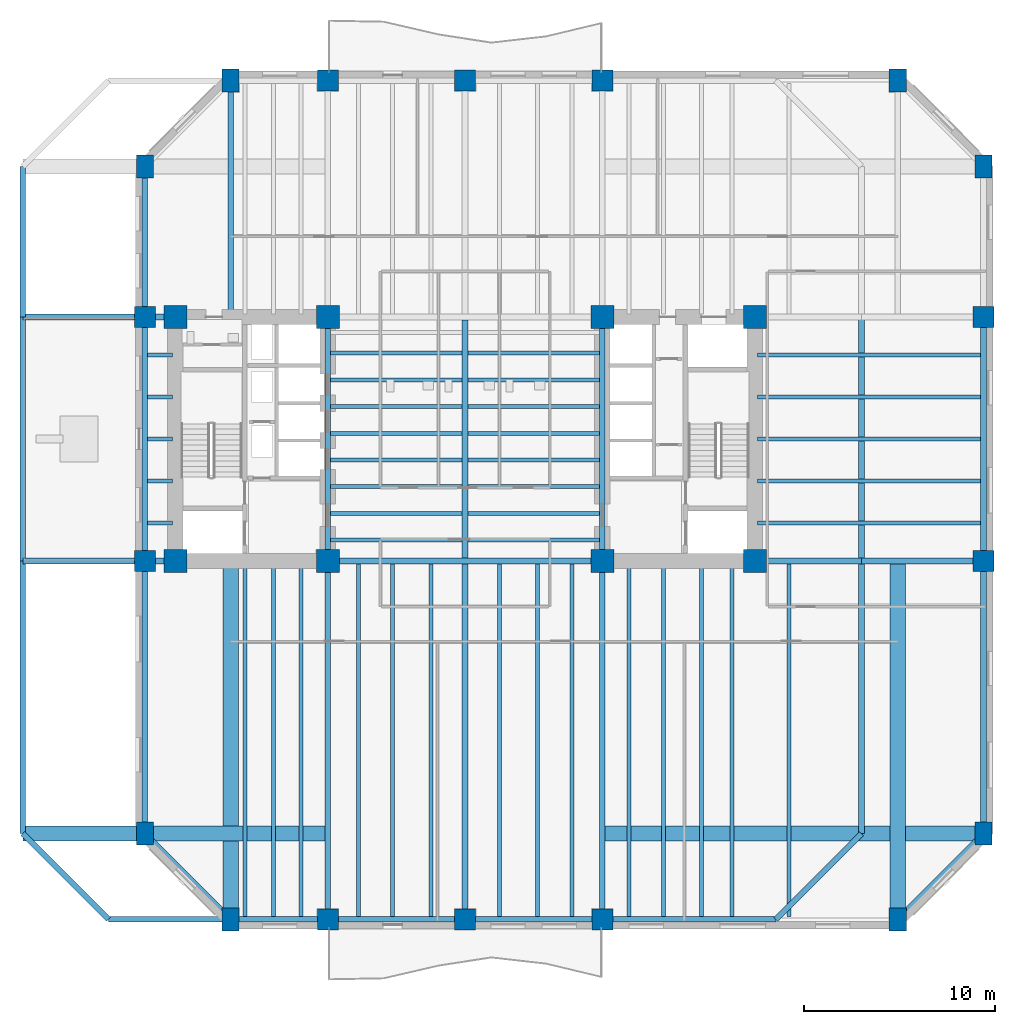
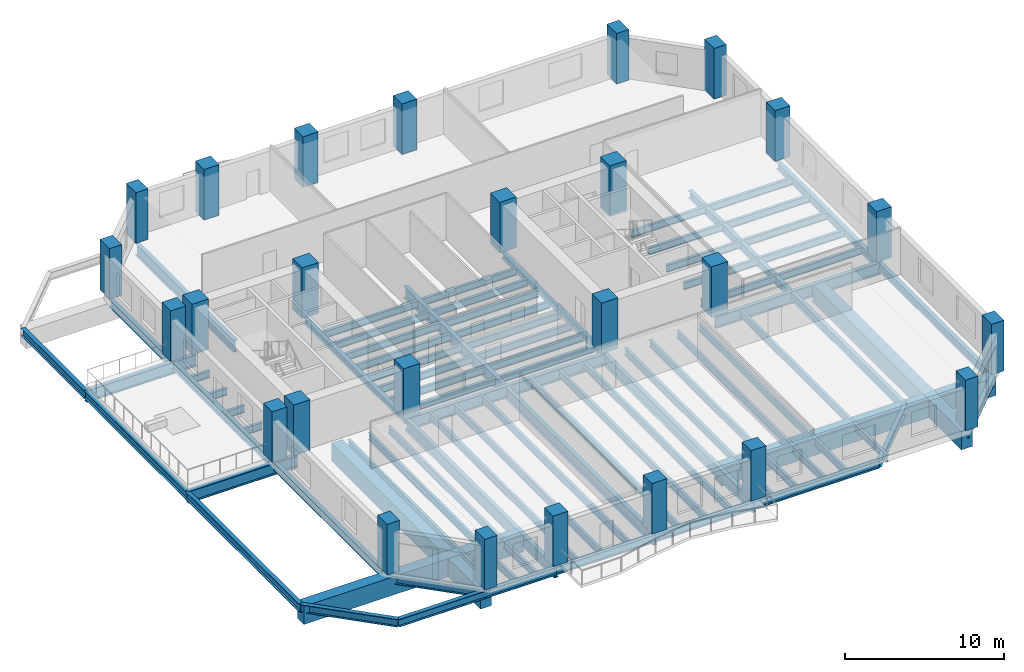
# One storey, part 1 of 11: 74 beams, 26 columns.
"""IFC4 building model written with IfcOpenShell, lengths in metres."""

from ifc_helpers import new_model, si_unit, direction, frame, origin, origin_2d, place, context, subcontext, project, spatial, rectangle, i_section, extrude, material, material_profile, profile_set, type_object, element, save


model = new_model("IFC4")

# Units and contexts
model_context = context("Model", 3, precision=1e-05, world=origin(), true_north=direction((0.0, 1.0)))
body_context = subcontext(model_context, "Body", "Model", "MODEL_VIEW")
ifc_project = project(units=[si_unit("LENGTHUNIT", "METRE"), si_unit("AREAUNIT", "SQUARE_METRE"), si_unit("VOLUMEUNIT", "CUBIC_METRE"), si_unit("PLANEANGLEUNIT", "RADIAN"), si_unit("MASSUNIT", "GRAM", prefix="KILO")], contexts=[model_context])

# Site, building, storey
site_placement = place(None, origin())
site = spatial("IfcSite", under=ifc_project, at=site_placement, CompositionType="ELEMENT")
building_placement = place(site_placement, origin())
building = spatial("IfcBuilding", under=site, at=building_placement, Name="Kranthara Brick Stack", CompositionType="ELEMENT")
storey_placement = place(building_placement, frame((0.0, 0.0, 47.699951171875)))
storey = spatial("IfcBuildingStorey", under=building, at=storey_placement, Name="L11", CompositionType="ELEMENT", Elevation=47.699951171875)

# Columns
ifc_material_1 = material(Name="Concrete C70/85", Category="concrete")
ifc_material_profile_1 = material_profile(ifc_material_1, rectangle(XDim=0.89990234375, YDim=1.199951171875, at=origin_2d()), Name="RC 900x1200")
ifc_profile_set_1 = profile_set([ifc_material_profile_1], Name="Concrete C70/85")
column_type_1 = type_object("IfcColumnType", Name="COL-CHAM-900x1200", PredefinedType="COLUMN", material=ifc_profile_set_1)
for number, where, z_axis, x_axis, name in (
    (1, (15.699951171875, 2.0, 0.0), (0.0, 0.0, 1.0), (1.0, 0.0, 0.0), "L11 Column 09"),
    (2, (15.699951171875, 46.0, 0.0), (0.0, 0.0, 1.0), (1.0, 0.0, 0.0), "L11 Column 10"),
    (3, (50.699951171875, 2.0, 0.0), (0.0, 0.0, 1.0), (1.0, 0.0, 0.0), "L11 Column 17"),
    (4, (50.699951171875, 46.0, 0.0), (0.0, 0.0, 1.0), (1.0, 0.0, 0.0), "L11 Column 18"),
    (5, (11.199951171875, 6.5, 0.0), (0.0, 0.0, 1.0), (1.0, 0.0, 0.0), "L11 Column 19"),
    (6, (55.199951171875, 6.5, 0.0), (0.0, 0.0, 1.0), (1.0, 0.0, 0.0), "L11 Column 20"),
    (7, (11.199951171875, 41.5, 0.0), (0.0, 0.0, 1.0), (1.0, 0.0, 0.0), "L11 Column 25"),
    (8, (55.199951171875, 41.5, 0.0), (0.0, 0.0, 1.0), (1.0, 0.0, 0.0), "L11 Column 26"),
):
    element("IfcColumn", number, at=place(storey_placement, frame(where, z_axis=z_axis, x_axis=x_axis)), inside=storey, type_object=column_type_1, Name=name, PredefinedType="COLUMN", context=body_context, shape_type="SweptSolid", body=[
        extrude(rectangle(XDim=0.89990234375, YDim=1.199951171875, at=origin_2d()), origin(), (0.0, 0.0, 1.0), 3.900146484375),
    ])
ifc_material_2 = material(Name="Concrete C70/85", Category="concrete")
ifc_material_profile_2 = material_profile(ifc_material_2, rectangle(XDim=1.199951171875, YDim=1.199951171875, at=origin_2d()), Name="RC 1200x1200")
ifc_profile_set_2 = profile_set([ifc_material_profile_2], Name="Concrete C70/85")
column_type_2 = type_object("IfcColumnType", Name="COL-CORE-1200", PredefinedType="COLUMN", material=ifc_profile_set_2)
for number, where, z_axis, x_axis, name in (
    (9, (12.800048828125, 20.800048828125, 0.0), (0.0, 0.0, 1.0), (1.0, 0.0, 0.0), "L11 Column 01"),
    (10, (20.800048828125, 20.800048828125, 0.0), (0.0, 0.0, 1.0), (1.0, 0.0, 0.0), "L11 Column 02"),
    (11, (12.800048828125, 33.60009765625, 0.0), (0.0, 0.0, 1.0), (1.0, 0.0, 0.0), "L11 Column 03"),
    (12, (20.800048828125, 33.60009765625, 0.0), (0.0, 0.0, 1.0), (1.0, 0.0, 0.0), "L11 Column 04"),
    (13, (35.199951171875, 20.800048828125, 0.0), (0.0, 0.0, 1.0), (1.0, 0.0, 0.0), "L11 Column 05"),
    (14, (43.199951171875, 20.800048828125, 0.0), (0.0, 0.0, 1.0), (1.0, 0.0, 0.0), "L11 Column 06"),
    (15, (35.199951171875, 33.60009765625, 0.0), (0.0, 0.0, 1.0), (1.0, 0.0, 0.0), "L11 Column 07"),
    (16, (43.199951171875, 33.60009765625, 0.0), (0.0, 0.0, 1.0), (1.0, 0.0, 0.0), "L11 Column 08"),
):
    element("IfcColumn", number, at=place(storey_placement, frame(where, z_axis=z_axis, x_axis=x_axis)), inside=storey, type_object=column_type_2, Name=name, PredefinedType="COLUMN", context=body_context, shape_type="SweptSolid", body=[
        extrude(rectangle(XDim=1.199951171875, YDim=1.199951171875, at=origin_2d()), origin(), (0.0, 0.0, 1.0), 3.900146484375),
    ])
ifc_material_3 = material(Name="Concrete C70/85", Category="concrete")
ifc_material_profile_3 = material_profile(ifc_material_3, rectangle(XDim=1.10009765625, YDim=1.10009765625, at=origin_2d()), Name="RC 1100x1100")
ifc_profile_set_3 = profile_set([ifc_material_profile_3], Name="Concrete C70/85")
column_type_3 = type_object("IfcColumnType", Name="COL-PER-1100", PredefinedType="COLUMN", material=ifc_profile_set_3)
for number, where, z_axis, x_axis, name in (
    (17, (20.800048828125, 2.0, 0.0), (0.0, 0.0, 1.0), (1.0, 0.0, 0.0), "L11 Column 11"),
    (18, (20.800048828125, 46.0, 0.0), (0.0, 0.0, 1.0), (1.0, 0.0, 0.0), "L11 Column 12"),
    (19, (28.0, 2.0, 0.0), (0.0, 0.0, 1.0), (1.0, 0.0, 0.0), "L11 Column 13"),
    (20, (28.0, 46.0, 0.0), (0.0, 0.0, 1.0), (1.0, 0.0, 0.0), "L11 Column 14"),
    (21, (35.199951171875, 2.0, 0.0), (0.0, 0.0, 1.0), (1.0, 0.0, 0.0), "L11 Column 15"),
    (22, (35.199951171875, 46.0, 0.0), (0.0, 0.0, 1.0), (1.0, 0.0, 0.0), "L11 Column 16"),
    (23, (11.199951171875, 20.800048828125, 0.0), (0.0, 0.0, 1.0), (1.0, 0.0, 0.0), "L11 Column 21"),
    (24, (55.199951171875, 20.800048828125, 0.0), (0.0, 0.0, 1.0), (1.0, 0.0, 0.0), "L11 Column 22"),
    (25, (11.199951171875, 33.60009765625, 0.0), (0.0, 0.0, 1.0), (1.0, 0.0, 0.0), "L11 Column 23"),
    (26, (55.199951171875, 33.60009765625, 0.0), (0.0, 0.0, 1.0), (1.0, 0.0, 0.0), "L11 Column 24"),
):
    element("IfcColumn", number, at=place(storey_placement, frame(where, z_axis=z_axis, x_axis=x_axis)), inside=storey, type_object=column_type_3, Name=name, PredefinedType="COLUMN", context=body_context, shape_type="SweptSolid", body=[
        extrude(rectangle(XDim=1.10009765625, YDim=1.10009765625, at=origin_2d()), origin(), (0.0, 0.0, 1.0), 3.900146484375),
    ])

# Beams
ifc_material_4 = material(Name="Steel S355", Category="steel")
ifc_material_profile_4 = material_profile(ifc_material_4, i_section(OverallWidth=0.2099609375, OverallDepth=0.550048828125, WebThickness=0.010986328125, FlangeThickness=0.01708984375, at=origin_2d()), Name="IPE 550")
ifc_profile_set_4 = profile_set([ifc_material_profile_4], Name="Steel S355")
beam_type_1 = type_object("IfcBeamType", Name="BM-JST-IPE550", PredefinedType="JOIST", material=ifc_profile_set_4)
for number, where, z_axis, x_axis, name in (
    (27, (20.949951171875, 21.89990234375, -0.724853515625), (1.0, 0.0, 0.0), (0.0, 1.0, 0.0), "L11 Central Floor Joist 054"),
    (28, (28.14990234375, 21.89990234375, -0.724853515625), (1.0, 0.0, 0.0), (0.0, 1.0, 0.0), "L11 Central Floor Joist 055"),
    (29, (20.949951171875, 23.300048828125, -0.724853515625), (1.0, 0.0, 0.0), (0.0, 1.0, 0.0), "L11 Central Floor Joist 056"),
    (30, (28.14990234375, 23.300048828125, -0.724853515625), (1.0, 0.0, 0.0), (0.0, 1.0, 0.0), "L11 Central Floor Joist 057"),
    (31, (20.949951171875, 24.699951171875, -0.724853515625), (1.0, 0.0, 0.0), (0.0, 1.0, 0.0), "L11 Central Floor Joist 058"),
    (32, (28.14990234375, 24.699951171875, -0.724853515625), (1.0, 0.0, 0.0), (0.0, 1.0, 0.0), "L11 Central Floor Joist 059"),
    (33, (20.949951171875, 26.10009765625, -0.724853515625), (1.0, 0.0, 0.0), (0.0, 1.0, 0.0), "L11 Central Floor Joist 060"),
    (34, (28.14990234375, 26.10009765625, -0.724853515625), (1.0, 0.0, 0.0), (0.0, 1.0, 0.0), "L11 Central Floor Joist 061"),
    (35, (20.949951171875, 27.5, -0.724853515625), (1.0, 0.0, 0.0), (0.0, 1.0, 0.0), "L11 Central Floor Joist 062"),
    (36, (28.14990234375, 27.5, -0.724853515625), (1.0, 0.0, 0.0), (0.0, 1.0, 0.0), "L11 Central Floor Joist 063"),
    (37, (20.949951171875, 28.89990234375, -0.724853515625), (1.0, 0.0, 0.0), (0.0, 1.0, 0.0), "L11 Central Floor Joist 064"),
    (38, (28.14990234375, 28.89990234375, -0.724853515625), (1.0, 0.0, 0.0), (0.0, 1.0, 0.0), "L11 Central Floor Joist 065"),
    (39, (20.949951171875, 30.300048828125, -0.724853515625), (1.0, 0.0, 0.0), (0.0, 1.0, 0.0), "L11 Central Floor Joist 066"),
    (40, (28.14990234375, 30.300048828125, -0.724853515625), (1.0, 0.0, 0.0), (0.0, 1.0, 0.0), "L11 Central Floor Joist 067"),
    (41, (20.949951171875, 31.699951171875, -0.724853515625), (1.0, 0.0, 0.0), (0.0, 1.0, 0.0), "L11 Central Floor Joist 068"),
    (42, (28.14990234375, 31.699951171875, -0.724853515625), (1.0, 0.0, 0.0), (0.0, 1.0, 0.0), "L11 Central Floor Joist 069"),
):
    element("IfcBeam", number, at=place(storey_placement, frame(where, z_axis=z_axis, x_axis=x_axis)), inside=storey, type_object=beam_type_1, Name=name, PredefinedType="JOIST", context=body_context, shape_type="SweptSolid", body=[
        extrude(i_section(OverallWidth=0.2099609375, OverallDepth=0.550048828125, WebThickness=0.010986328125, FlangeThickness=0.01708984375, at=origin_2d()), origin(), (0.0, 0.0, 1.0), 6.900146484375),
    ])
for number, where, z_axis, x_axis, name in (
    (43, (16.449951171875, 2.14990234375, -0.724853515625), (0.0, 1.0, 0.0), (-1.0, 0.0, 0.0), "L11 South Wing Floor Joist 072"),
    (44, (17.949951171875, 2.14990234375, -0.724853515625), (0.0, 1.0, 0.0), (-1.0, 0.0, 0.0), "L11 South Wing Floor Joist 074"),
    (45, (19.39990234375, 2.14990234375, -0.724853515625), (0.0, 1.0, 0.0), (-1.0, 0.0, 0.0), "L11 South Wing Floor Joist 076"),
    (46, (22.39990234375, 2.14990234375, -0.724853515625), (0.0, 1.0, 0.0), (-1.0, 0.0, 0.0), "L11 South Wing Floor Joist 078"),
    (47, (24.199951171875, 2.14990234375, -0.724853515625), (0.0, 1.0, 0.0), (-1.0, 0.0, 0.0), "L11 South Wing Floor Joist 080"),
    (48, (26.199951171875, 2.14990234375, -0.724853515625), (0.0, 1.0, 0.0), (-1.0, 0.0, 0.0), "L11 South Wing Floor Joist 082"),
    (49, (29.800048828125, 2.14990234375, -0.724853515625), (0.0, 1.0, 0.0), (-1.0, 0.0, 0.0), "L11 South Wing Floor Joist 084"),
    (50, (31.800048828125, 2.14990234375, -0.724853515625), (0.0, 1.0, 0.0), (-1.0, 0.0, 0.0), "L11 South Wing Floor Joist 086"),
    (51, (33.60009765625, 2.14990234375, -0.724853515625), (0.0, 1.0, 0.0), (-1.0, 0.0, 0.0), "L11 South Wing Floor Joist 088"),
    (52, (36.60009765625, 2.14990234375, -0.724853515625), (0.0, 1.0, 0.0), (-1.0, 0.0, 0.0), "L11 South Wing Floor Joist 090"),
    (53, (38.39990234375, 2.14990234375, -0.724853515625), (0.0, 1.0, 0.0), (-1.0, 0.0, 0.0), "L11 South Wing Floor Joist 092"),
    (54, (40.39990234375, 2.14990234375, -0.724853515625), (0.0, 1.0, 0.0), (-1.0, 0.0, 0.0), "L11 South Wing Floor Joist 094"),
    (55, (42.0, 2.14990234375, -0.724853515625), (0.0, 1.0, 0.0), (-1.0, 0.0, 0.0), "L11 South Wing Floor Joist 096"),
    (56, (45.0, 2.14990234375, -0.724853515625), (0.0, 1.0, 0.0), (-1.0, 0.0, 0.0), "L11 South Wing Floor Joist 098"),
):
    element("IfcBeam", number, at=place(storey_placement, frame(where, z_axis=z_axis, x_axis=x_axis)), inside=storey, type_object=beam_type_1, Name=name, PredefinedType="JOIST", context=body_context, shape_type="SweptSolid", body=[
        extrude(i_section(OverallWidth=0.2099609375, OverallDepth=0.550048828125, WebThickness=0.010986328125, FlangeThickness=0.01708984375, at=origin_2d()), origin(), (0.0, 0.0, 1.0), 18.5),
    ])
beam_1_placement = place(storey_placement, frame((11.35009765625, 22.800048828125, -0.724853515625), z_axis=(1.0, 0.0, 0.0), x_axis=(0.0, 1.0, 0.0)))
element("IfcBeam", 57, at=beam_1_placement, inside=storey, type_object=beam_type_1, Name="L11 West Wing Floor Joist 100", PredefinedType="JOIST", context=body_context, shape_type="SweptSolid", body=[
    extrude(i_section(OverallWidth=0.2099609375, OverallDepth=0.550048828125, WebThickness=0.010986328125, FlangeThickness=0.01708984375, at=origin_2d()), origin(), (0.0, 0.0, 1.0), 1.2998046875),
])
beam_2_placement = place(storey_placement, frame((43.35009765625, 22.800048828125, -0.724853515625), z_axis=(1.0, 0.0, 0.0), x_axis=(0.0, 1.0, 0.0)))
element("IfcBeam", 58, at=beam_2_placement, inside=storey, type_object=beam_type_1, Name="L11 East Wing Floor Joist 101", PredefinedType="JOIST", context=body_context, shape_type="SweptSolid", body=[
    extrude(i_section(OverallWidth=0.2099609375, OverallDepth=0.550048828125, WebThickness=0.010986328125, FlangeThickness=0.01708984375, at=origin_2d()), origin(), (0.0, 0.0, 1.0), 11.699951171875),
])
beam_3_placement = place(storey_placement, frame((11.35009765625, 25.0, -0.724853515625), z_axis=(1.0, 0.0, 0.0), x_axis=(0.0, 1.0, 0.0)))
element("IfcBeam", 59, at=beam_3_placement, inside=storey, type_object=beam_type_1, Name="L11 West Wing Floor Joist 102", PredefinedType="JOIST", context=body_context, shape_type="SweptSolid", body=[
    extrude(i_section(OverallWidth=0.2099609375, OverallDepth=0.550048828125, WebThickness=0.010986328125, FlangeThickness=0.01708984375, at=origin_2d()), origin(), (0.0, 0.0, 1.0), 1.2998046875),
])
beam_4_placement = place(storey_placement, frame((43.35009765625, 25.0, -0.724853515625), z_axis=(1.0, 0.0, 0.0), x_axis=(0.0, 1.0, 0.0)))
element("IfcBeam", 60, at=beam_4_placement, inside=storey, type_object=beam_type_1, Name="L11 East Wing Floor Joist 103", PredefinedType="JOIST", context=body_context, shape_type="SweptSolid", body=[
    extrude(i_section(OverallWidth=0.2099609375, OverallDepth=0.550048828125, WebThickness=0.010986328125, FlangeThickness=0.01708984375, at=origin_2d()), origin(), (0.0, 0.0, 1.0), 11.699951171875),
])
beam_5_placement = place(storey_placement, frame((11.35009765625, 27.199951171875, -0.724853515625), z_axis=(1.0, 0.0, 0.0), x_axis=(0.0, 1.0, 0.0)))
element("IfcBeam", 61, at=beam_5_placement, inside=storey, type_object=beam_type_1, Name="L11 West Wing Floor Joist 104", PredefinedType="JOIST", context=body_context, shape_type="SweptSolid", body=[
    extrude(i_section(OverallWidth=0.2099609375, OverallDepth=0.550048828125, WebThickness=0.010986328125, FlangeThickness=0.01708984375, at=origin_2d()), origin(), (0.0, 0.0, 1.0), 1.2998046875),
])
beam_6_placement = place(storey_placement, frame((43.35009765625, 27.199951171875, -0.724853515625), z_axis=(1.0, 0.0, 0.0), x_axis=(0.0, 1.0, 0.0)))
element("IfcBeam", 62, at=beam_6_placement, inside=storey, type_object=beam_type_1, Name="L11 East Wing Floor Joist 105", PredefinedType="JOIST", context=body_context, shape_type="SweptSolid", body=[
    extrude(i_section(OverallWidth=0.2099609375, OverallDepth=0.550048828125, WebThickness=0.010986328125, FlangeThickness=0.01708984375, at=origin_2d()), origin(), (0.0, 0.0, 1.0), 11.699951171875),
])
beam_7_placement = place(storey_placement, frame((11.35009765625, 29.39990234375, -0.724853515625), z_axis=(1.0, 0.0, 0.0), x_axis=(0.0, 1.0, 0.0)))
element("IfcBeam", 63, at=beam_7_placement, inside=storey, type_object=beam_type_1, Name="L11 West Wing Floor Joist 106", PredefinedType="JOIST", context=body_context, shape_type="SweptSolid", body=[
    extrude(i_section(OverallWidth=0.2099609375, OverallDepth=0.550048828125, WebThickness=0.010986328125, FlangeThickness=0.01708984375, at=origin_2d()), origin(), (0.0, 0.0, 1.0), 1.2998046875),
])
beam_8_placement = place(storey_placement, frame((43.35009765625, 29.39990234375, -0.724853515625), z_axis=(1.0, 0.0, 0.0), x_axis=(0.0, 1.0, 0.0)))
element("IfcBeam", 64, at=beam_8_placement, inside=storey, type_object=beam_type_1, Name="L11 East Wing Floor Joist 107", PredefinedType="JOIST", context=body_context, shape_type="SweptSolid", body=[
    extrude(i_section(OverallWidth=0.2099609375, OverallDepth=0.550048828125, WebThickness=0.010986328125, FlangeThickness=0.01708984375, at=origin_2d()), origin(), (0.0, 0.0, 1.0), 11.699951171875),
])
beam_9_placement = place(storey_placement, frame((11.35009765625, 31.60009765625, -0.724853515625), z_axis=(1.0, 0.0, 0.0), x_axis=(0.0, 1.0, 0.0)))
element("IfcBeam", 65, at=beam_9_placement, inside=storey, type_object=beam_type_1, Name="L11 West Wing Floor Joist 108", PredefinedType="JOIST", context=body_context, shape_type="SweptSolid", body=[
    extrude(i_section(OverallWidth=0.2099609375, OverallDepth=0.550048828125, WebThickness=0.010986328125, FlangeThickness=0.01708984375, at=origin_2d()), origin(), (0.0, 0.0, 1.0), 1.2998046875),
])
beam_10_placement = place(storey_placement, frame((43.35009765625, 31.60009765625, -0.724853515625), z_axis=(1.0, 0.0, 0.0), x_axis=(0.0, 1.0, 0.0)))
element("IfcBeam", 66, at=beam_10_placement, inside=storey, type_object=beam_type_1, Name="L11 East Wing Floor Joist 109", PredefinedType="JOIST", context=body_context, shape_type="SweptSolid", body=[
    extrude(i_section(OverallWidth=0.2099609375, OverallDepth=0.550048828125, WebThickness=0.010986328125, FlangeThickness=0.01708984375, at=origin_2d()), origin(), (0.0, 0.0, 1.0), 11.699951171875),
])
ifc_material_5 = material(Name="Steel S355", Category="steel")
ifc_material_profile_5 = material_profile(ifc_material_5, i_section(OverallWidth=0.300048828125, OverallDepth=0.449951171875, WebThickness=0.013916015625, FlangeThickness=0.02587890625, at=origin_2d()), Name="HEB 450")
ifc_profile_set_5 = profile_set([ifc_material_profile_5], Name="Steel S355")
beam_type_2 = type_object("IfcBeamType", Name="BM-STL-HEB450", PredefinedType="SPANDREL", material=ifc_profile_set_5)
for number, where, z_axis, x_axis, name in (
    (67, (20.800048828125, 20.800048828125, -0.675048828125), (0.0, 1.0, 0.0), (-1.0, 0.0, 0.0), "L11 Core Edge Tie Beam 003"),
    (68, (35.199951171875, 20.800048828125, -0.675048828125), (0.0, 1.0, 0.0), (-1.0, 0.0, 0.0), "L11 Core Edge Tie Beam 004"),
):
    element("IfcBeam", number, at=place(storey_placement, frame(where, z_axis=z_axis, x_axis=x_axis)), inside=storey, type_object=beam_type_2, Name=name, PredefinedType="SPANDREL", context=body_context, shape_type="SweptSolid", body=[
        extrude(i_section(OverallWidth=0.300048828125, OverallDepth=0.449951171875, WebThickness=0.013916015625, FlangeThickness=0.02587890625, at=origin_2d()), origin(), (0.0, 0.0, 1.0), 12.800048828125),
    ])
ifc_material_6 = material(Name="Steel S355", Category="steel")
ifc_material_profile_6 = material_profile(ifc_material_6, i_section(OverallWidth=0.300048828125, OverallDepth=0.60009765625, WebThickness=0.015380859375, FlangeThickness=0.030029296875, at=origin_2d()), Name="HEB 600")
ifc_profile_set_6 = profile_set([ifc_material_profile_6], Name="Steel S355")
beam_type_3 = type_object("IfcBeamType", Name="BM-STL-HEB600", PredefinedType="BEAM", material=ifc_profile_set_6)
beam_11_placement = place(storey_placement, frame((9.300048828125, 2.0, -0.75), z_axis=(1.0, 0.0, 0.0), x_axis=(0.0, 1.0, 0.0)))
element("IfcBeam", 69, at=beam_11_placement, inside=storey, type_object=beam_type_3, Name="L11 Perimeter Spandrel Beam 005", PredefinedType="BEAM", context=body_context, shape_type="SweptSolid", body=[
    extrude(i_section(OverallWidth=0.300048828125, OverallDepth=0.60009765625, WebThickness=0.015380859375, FlangeThickness=0.030029296875, at=origin_2d()), origin(), (0.0, 0.0, 1.0), 11.5),
])
for number, where, z_axis, x_axis, name in (
    (70, (20.800048828125, 2.0, -0.75), (1.0, 0.0, 0.0), (0.0, 1.0, 0.0), "L11 Perimeter Spandrel Beam 006"),
    (71, (28.0, 2.0, -0.75), (1.0, 0.0, 0.0), (0.0, 1.0, 0.0), "L11 Perimeter Spandrel Beam 007"),
):
    element("IfcBeam", number, at=place(storey_placement, frame(where, z_axis=z_axis, x_axis=x_axis)), inside=storey, type_object=beam_type_3, Name=name, PredefinedType="BEAM", context=body_context, shape_type="SweptSolid", body=[
        extrude(i_section(OverallWidth=0.300048828125, OverallDepth=0.60009765625, WebThickness=0.015380859375, FlangeThickness=0.030029296875, at=origin_2d()), origin(), (0.0, 0.0, 1.0), 7.199951171875),
    ])
beam_12_placement = place(storey_placement, frame((35.199951171875, 2.0, -0.75), z_axis=(1.0, 0.0, 0.0), x_axis=(0.0, 1.0, 0.0)))
element("IfcBeam", 72, at=beam_12_placement, inside=storey, type_object=beam_type_3, Name="L11 Perimeter Spandrel Beam 008", PredefinedType="BEAM", context=body_context, shape_type="SweptSolid", body=[
    extrude(i_section(OverallWidth=0.300048828125, OverallDepth=0.60009765625, WebThickness=0.015380859375, FlangeThickness=0.030029296875, at=origin_2d()), origin(), (0.0, 0.0, 1.0), 9.10009765625),
])
beam_13_placement = place(storey_placement, frame((4.800048828125, 6.5, -0.75), z_axis=(0.0, 1.0, 0.0), x_axis=(-1.0, 0.0, 0.0)))
element("IfcBeam", 73, at=beam_13_placement, inside=storey, type_object=beam_type_3, Name="L11 Perimeter Spandrel Beam 013", PredefinedType="BEAM", context=body_context, shape_type="SweptSolid", body=[
    extrude(i_section(OverallWidth=0.300048828125, OverallDepth=0.60009765625, WebThickness=0.015380859375, FlangeThickness=0.030029296875, at=origin_2d()), origin(), (0.0, 0.0, 1.0), 14.300048828125),
])
beam_14_placement = place(storey_placement, frame((4.800048828125, 20.800048828125, -0.75), z_axis=(0.0, 1.0, 0.0), x_axis=(-1.0, 0.0, 0.0)))
element("IfcBeam", 74, at=beam_14_placement, inside=storey, type_object=beam_type_3, Name="L11 Perimeter Spandrel Beam 014", PredefinedType="BEAM", context=body_context, shape_type="SweptSolid", body=[
    extrude(i_section(OverallWidth=0.300048828125, OverallDepth=0.60009765625, WebThickness=0.015380859375, FlangeThickness=0.030029296875, at=origin_2d()), origin(), (0.0, 0.0, 1.0), 12.800048828125),
])
beam_15_placement = place(storey_placement, frame((4.800048828125, 33.60009765625, -0.75), z_axis=(0.0, 1.0, 0.0), x_axis=(-1.0, 0.0, 0.0)))
element("IfcBeam", 75, at=beam_15_placement, inside=storey, type_object=beam_type_3, Name="L11 Perimeter Spandrel Beam 015", PredefinedType="BEAM", context=body_context, shape_type="SweptSolid", body=[
    extrude(i_section(OverallWidth=0.300048828125, OverallDepth=0.60009765625, WebThickness=0.015380859375, FlangeThickness=0.030029296875, at=origin_2d()), origin(), (0.0, 0.0, 1.0), 7.89990234375),
])
beam_16_placement = place(storey_placement, frame((48.800048828125, 6.5, -0.75), z_axis=(0.0, 1.0, 0.0), x_axis=(-1.0, 0.0, 0.0)))
element("IfcBeam", 76, at=beam_16_placement, inside=storey, type_object=beam_type_3, Name="L11 Perimeter Spandrel Beam 016", PredefinedType="BEAM", context=body_context, shape_type="SweptSolid", body=[
    extrude(i_section(OverallWidth=0.300048828125, OverallDepth=0.60009765625, WebThickness=0.015380859375, FlangeThickness=0.030029296875, at=origin_2d()), origin(), (0.0, 0.0, 1.0), 14.300048828125),
])
beam_17_placement = place(storey_placement, frame((48.800048828125, 20.800048828125, -0.75), z_axis=(0.0, 1.0, 0.0), x_axis=(-1.0, 0.0, 0.0)))
element("IfcBeam", 77, at=beam_17_placement, inside=storey, type_object=beam_type_3, Name="L11 Perimeter Spandrel Beam 017", PredefinedType="BEAM", context=body_context, shape_type="SweptSolid", body=[
    extrude(i_section(OverallWidth=0.300048828125, OverallDepth=0.60009765625, WebThickness=0.015380859375, FlangeThickness=0.030029296875, at=origin_2d()), origin(), (0.0, 0.0, 1.0), 12.800048828125),
])
for number, where, z_axis, x_axis, name in (
    (78, (9.300048828125, 2.0, -0.75), (-0.707106781187, 0.707106781187, 0.0), (-0.707106781187, -0.707106781187, 0.0), "L11 Chamfer Corner Spandrel 019"),
    (79, (44.300048828125, 2.0, -0.75), (0.707106781187, 0.707106781187, 0.0), (-0.707106781187, 0.707106781187, 0.0), "L11 Chamfer Corner Spandrel 020"),
):
    element("IfcBeam", number, at=place(storey_placement, frame(where, z_axis=z_axis, x_axis=x_axis)), inside=storey, type_object=beam_type_3, Name=name, PredefinedType="BEAM", context=body_context, shape_type="SweptSolid", body=[
        extrude(i_section(OverallWidth=0.300048828125, OverallDepth=0.60009765625, WebThickness=0.015380859375, FlangeThickness=0.030029296875, at=origin_2d()), origin(), (0.0, 0.0, 1.0), 6.364013671875),
    ])
beam_18_placement = place(storey_placement, frame((11.199951171875, 6.5, -0.75), z_axis=(0.0, 1.0, 0.0), x_axis=(-1.0, 0.0, 0.0)))
element("IfcBeam", 80, at=beam_18_placement, inside=storey, type_object=beam_type_3, Name="L11 Perimeter Spandrel Beam 023", PredefinedType="BEAM", context=body_context, shape_type="SweptSolid", body=[
    extrude(i_section(OverallWidth=0.300048828125, OverallDepth=0.60009765625, WebThickness=0.015380859375, FlangeThickness=0.030029296875, at=origin_2d()), origin(), (0.0, 0.0, 1.0), 14.300048828125),
])
beam_19_placement = place(storey_placement, frame((11.199951171875, 20.800048828125, -0.75), z_axis=(0.0, 1.0, 0.0), x_axis=(-1.0, 0.0, 0.0)))
element("IfcBeam", 81, at=beam_19_placement, inside=storey, type_object=beam_type_3, Name="L11 Perimeter Spandrel Beam 024", PredefinedType="BEAM", context=body_context, shape_type="SweptSolid", body=[
    extrude(i_section(OverallWidth=0.300048828125, OverallDepth=0.60009765625, WebThickness=0.015380859375, FlangeThickness=0.030029296875, at=origin_2d()), origin(), (0.0, 0.0, 1.0), 12.800048828125),
])
beam_20_placement = place(storey_placement, frame((11.199951171875, 33.60009765625, -0.75), z_axis=(0.0, 1.0, 0.0), x_axis=(-1.0, 0.0, 0.0)))
element("IfcBeam", 82, at=beam_20_placement, inside=storey, type_object=beam_type_3, Name="L11 Perimeter Spandrel Beam 025", PredefinedType="BEAM", context=body_context, shape_type="SweptSolid", body=[
    extrude(i_section(OverallWidth=0.300048828125, OverallDepth=0.60009765625, WebThickness=0.015380859375, FlangeThickness=0.030029296875, at=origin_2d()), origin(), (0.0, 0.0, 1.0), 7.89990234375),
])
beam_21_placement = place(storey_placement, frame((55.199951171875, 6.5, -0.75), z_axis=(0.0, 1.0, 0.0), x_axis=(-1.0, 0.0, 0.0)))
element("IfcBeam", 83, at=beam_21_placement, inside=storey, type_object=beam_type_3, Name="L11 Perimeter Spandrel Beam 026", PredefinedType="BEAM", context=body_context, shape_type="SweptSolid", body=[
    extrude(i_section(OverallWidth=0.300048828125, OverallDepth=0.60009765625, WebThickness=0.015380859375, FlangeThickness=0.030029296875, at=origin_2d()), origin(), (0.0, 0.0, 1.0), 14.300048828125),
])
beam_22_placement = place(storey_placement, frame((55.199951171875, 20.800048828125, -0.75), z_axis=(0.0, 1.0, 0.0), x_axis=(-1.0, 0.0, 0.0)))
element("IfcBeam", 84, at=beam_22_placement, inside=storey, type_object=beam_type_3, Name="L11 Perimeter Spandrel Beam 027", PredefinedType="BEAM", context=body_context, shape_type="SweptSolid", body=[
    extrude(i_section(OverallWidth=0.300048828125, OverallDepth=0.60009765625, WebThickness=0.015380859375, FlangeThickness=0.030029296875, at=origin_2d()), origin(), (0.0, 0.0, 1.0), 12.800048828125),
])
for number, where, z_axis, x_axis, name in (
    (85, (15.699951171875, 2.0, -0.75), (-0.707106781187, 0.707106781187, 0.0), (-0.707106781187, -0.707106781187, 0.0), "L11 Chamfer Corner Spandrel 029"),
    (86, (50.699951171875, 2.0, -0.75), (0.707106781187, 0.707106781187, 0.0), (-0.707106781187, 0.707106781187, 0.0), "L11 Chamfer Corner Spandrel 030"),
):
    element("IfcBeam", number, at=place(storey_placement, frame(where, z_axis=z_axis, x_axis=x_axis)), inside=storey, type_object=beam_type_3, Name=name, PredefinedType="BEAM", context=body_context, shape_type="SweptSolid", body=[
        extrude(i_section(OverallWidth=0.300048828125, OverallDepth=0.60009765625, WebThickness=0.015380859375, FlangeThickness=0.030029296875, at=origin_2d()), origin(), (0.0, 0.0, 1.0), 6.364013671875),
    ])
ifc_material_7 = material(Name="Steel S460", Category="steel")
ifc_material_profile_7 = material_profile(ifc_material_7, i_section(OverallWidth=0.300048828125, OverallDepth=0.89990234375, WebThickness=0.0185546875, FlangeThickness=0.034912109375, at=origin_2d()), Name="HEB 900")
ifc_profile_set_7 = profile_set([ifc_material_profile_7], Name="Steel S460")
beam_type_4 = type_object("IfcBeamType", Name="BM-TR-HEB900", PredefinedType="BEAM", material=ifc_profile_set_7)
beam_23_placement = place(storey_placement, frame((20.800048828125, 20.800048828125, -0.89990234375), z_axis=(1.0, 0.0, 0.0), x_axis=(0.0, 1.0, 0.0)))
element("IfcBeam", 87, at=beam_23_placement, inside=storey, type_object=beam_type_4, Name="L11 Core Coupling Beam 001", PredefinedType="BEAM", context=body_context, shape_type="SweptSolid", body=[
    extrude(i_section(OverallWidth=0.300048828125, OverallDepth=0.89990234375, WebThickness=0.0185546875, FlangeThickness=0.034912109375, at=origin_2d()), origin(), (0.0, 0.0, 1.0), 14.39990234375),
])
beam_24_placement = place(storey_placement, frame((20.800048828125, 2.0, -0.89990234375), z_axis=(0.0, 1.0, 0.0), x_axis=(-1.0, 0.0, 0.0)))
element("IfcBeam", 88, at=beam_24_placement, inside=storey, type_object=beam_type_4, Name="L11 Primary Grid Girder 033", PredefinedType="BEAM", context=body_context, shape_type="SweptSolid", body=[
    extrude(i_section(OverallWidth=0.300048828125, OverallDepth=0.89990234375, WebThickness=0.0185546875, FlangeThickness=0.034912109375, at=origin_2d()), origin(), (0.0, 0.0, 1.0), 18.800048828125),
])
beam_25_placement = place(storey_placement, frame((28.0, 2.0, -0.89990234375), z_axis=(0.0, 1.0, 0.0), x_axis=(-1.0, 0.0, 0.0)))
element("IfcBeam", 89, at=beam_25_placement, inside=storey, type_object=beam_type_4, Name="L11 Primary Grid Girder 035", PredefinedType="BEAM", context=body_context, shape_type="SweptSolid", body=[
    extrude(i_section(OverallWidth=0.300048828125, OverallDepth=0.89990234375, WebThickness=0.0185546875, FlangeThickness=0.034912109375, at=origin_2d()), origin(), (0.0, 0.0, 1.0), 18.64990234375),
])
beam_26_placement = place(storey_placement, frame((28.0, 20.949951171875, -0.89990234375), z_axis=(0.0, 1.0, 0.0), x_axis=(-1.0, 0.0, 0.0)))
element("IfcBeam", 90, at=beam_26_placement, inside=storey, type_object=beam_type_4, Name="L11 Central Spine Girder 036", PredefinedType="BEAM", context=body_context, shape_type="SweptSolid", body=[
    extrude(i_section(OverallWidth=0.300048828125, OverallDepth=0.89990234375, WebThickness=0.0185546875, FlangeThickness=0.034912109375, at=origin_2d()), origin(), (0.0, 0.0, 1.0), 12.5),
])
beam_27_placement = place(storey_placement, frame((35.199951171875, 2.0, -0.89990234375), z_axis=(0.0, 1.0, 0.0), x_axis=(-1.0, 0.0, 0.0)))
element("IfcBeam", 91, at=beam_27_placement, inside=storey, type_object=beam_type_4, Name="L11 Primary Grid Girder 038", PredefinedType="BEAM", context=body_context, shape_type="SweptSolid", body=[
    extrude(i_section(OverallWidth=0.300048828125, OverallDepth=0.89990234375, WebThickness=0.0185546875, FlangeThickness=0.034912109375, at=origin_2d()), origin(), (0.0, 0.0, 1.0), 18.800048828125),
])
beam_28_placement = place(storey_placement, frame((4.800048828125, 20.800048828125, -0.89990234375), z_axis=(1.0, 0.0, 0.0), x_axis=(0.0, 1.0, 0.0)))
element("IfcBeam", 92, at=beam_28_placement, inside=storey, type_object=beam_type_4, Name="L11 Primary Grid Girder 040", PredefinedType="BEAM", context=body_context, shape_type="SweptSolid", body=[
    extrude(i_section(OverallWidth=0.300048828125, OverallDepth=0.89990234375, WebThickness=0.0185546875, FlangeThickness=0.034912109375, at=origin_2d()), origin(), (0.0, 0.0, 1.0), 8.0),
])
beam_29_placement = place(storey_placement, frame((43.199951171875, 20.800048828125, -0.89990234375), z_axis=(1.0, 0.0, 0.0), x_axis=(0.0, 1.0, 0.0)))
element("IfcBeam", 93, at=beam_29_placement, inside=storey, type_object=beam_type_4, Name="L11 Primary Grid Girder 041", PredefinedType="BEAM", context=body_context, shape_type="SweptSolid", body=[
    extrude(i_section(OverallWidth=0.300048828125, OverallDepth=0.89990234375, WebThickness=0.0185546875, FlangeThickness=0.034912109375, at=origin_2d()), origin(), (0.0, 0.0, 1.0), 5.60009765625),
])
beam_30_placement = place(storey_placement, frame((48.800048828125, 20.800048828125, -0.89990234375), z_axis=(1.0, 0.0, 0.0), x_axis=(0.0, 1.0, 0.0)))
element("IfcBeam", 94, at=beam_30_placement, inside=storey, type_object=beam_type_4, Name="L11 Primary Grid Girder 042", PredefinedType="BEAM", context=body_context, shape_type="SweptSolid", body=[
    extrude(i_section(OverallWidth=0.300048828125, OverallDepth=0.89990234375, WebThickness=0.0185546875, FlangeThickness=0.034912109375, at=origin_2d()), origin(), (0.0, 0.0, 1.0), 6.39990234375),
])
beam_31_placement = place(storey_placement, frame((4.800048828125, 33.60009765625, -0.89990234375), z_axis=(1.0, 0.0, 0.0), x_axis=(0.0, 1.0, 0.0)))
element("IfcBeam", 95, at=beam_31_placement, inside=storey, type_object=beam_type_4, Name="L11 Primary Grid Girder 043", PredefinedType="BEAM", context=body_context, shape_type="SweptSolid", body=[
    extrude(i_section(OverallWidth=0.300048828125, OverallDepth=0.89990234375, WebThickness=0.0185546875, FlangeThickness=0.034912109375, at=origin_2d()), origin(), (0.0, 0.0, 1.0), 8.0),
])
beam_32_placement = place(storey_placement, frame((15.699951171875, 46.0, -0.89990234375), z_axis=(0.0, -1.0, 0.0), x_axis=(1.0, 0.0, 0.0)))
element("IfcBeam", 96, at=beam_32_placement, inside=storey, type_object=beam_type_4, Name="L11 Transfer Tie Girder 047", PredefinedType="BEAM", context=body_context, shape_type="SweptSolid", body=[
    extrude(i_section(OverallWidth=0.300048828125, OverallDepth=0.89990234375, WebThickness=0.0185546875, FlangeThickness=0.034912109375, at=origin_2d()), origin(), (0.0, 0.0, 1.0), 12.39990234375),
])
ifc_material_8 = material(Name="Post-tensioned concrete C50/60", Category="concrete")
ifc_material_profile_8 = material_profile(ifc_material_8, rectangle(XDim=0.800048828125, YDim=1.39990234375, at=origin_2d()), Name="PT 800x1400")
ifc_profile_set_8 = profile_set([ifc_material_profile_8], Name="Post-tensioned concrete C50/60")
beam_type_5 = type_object("IfcBeamType", Name="BM-TR-PT1400", PredefinedType="T_BEAM", material=ifc_profile_set_8)
for number, where, z_axis, x_axis, name in (
    (97, (15.699951171875, 2.0, -1.14990234375), (0.0, 1.0, 0.0), (-1.0, 0.0, 0.0), "L11 Transfer Tie Girder 046"),
    (98, (50.699951171875, 2.0, -1.14990234375), (0.0, 1.0, 0.0), (-1.0, 0.0, 0.0), "L11 Transfer Tie Girder 048"),
):
    element("IfcBeam", number, at=place(storey_placement, frame(where, z_axis=z_axis, x_axis=x_axis)), inside=storey, type_object=beam_type_5, Name=name, PredefinedType="T_BEAM", context=body_context, shape_type="SweptSolid", body=[
        extrude(rectangle(XDim=0.800048828125, YDim=1.39990234375, at=origin_2d()), origin(), (0.0, 0.0, 1.0), 18.800048828125),
    ])
beam_33_placement = place(storey_placement, frame((4.800048828125, 6.5, -1.14990234375), z_axis=(1.0, 0.0, 0.0), x_axis=(0.0, 1.0, 0.0)))
element("IfcBeam", 99, at=beam_33_placement, inside=storey, type_object=beam_type_5, Name="L11 Transfer Tie Girder 050", PredefinedType="T_BEAM", context=body_context, shape_type="SweptSolid", body=[
    extrude(rectangle(XDim=0.800048828125, YDim=1.39990234375, at=origin_2d()), origin(), (0.0, 0.0, 1.0), 16.0),
])
beam_34_placement = place(storey_placement, frame((55.199951171875, 6.5, -1.14990234375), z_axis=(-1.0, 0.0, 0.0), x_axis=(0.0, -1.0, 0.0)))
element("IfcBeam", 100, at=beam_34_placement, inside=storey, type_object=beam_type_5, Name="L11 Transfer Tie Girder 051", PredefinedType="T_BEAM", context=body_context, shape_type="SweptSolid", body=[
    extrude(rectangle(XDim=0.800048828125, YDim=1.39990234375, at=origin_2d()), origin(), (0.0, 0.0, 1.0), 20.0),
])

save(model, "model.ifc")
